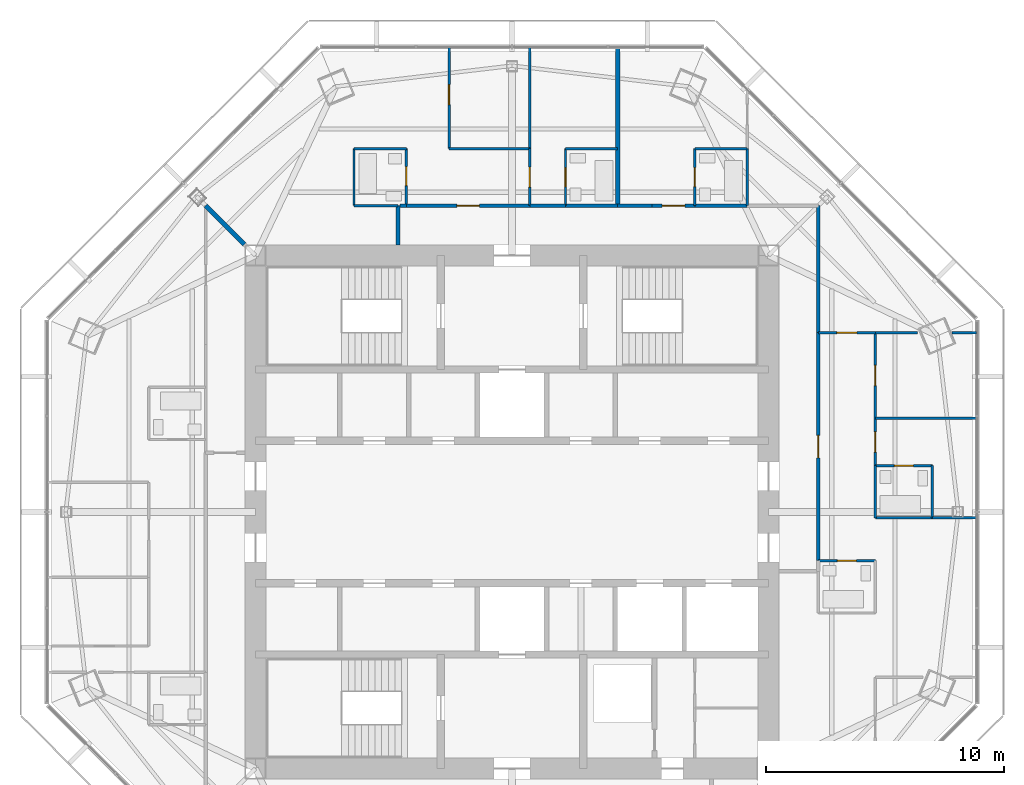
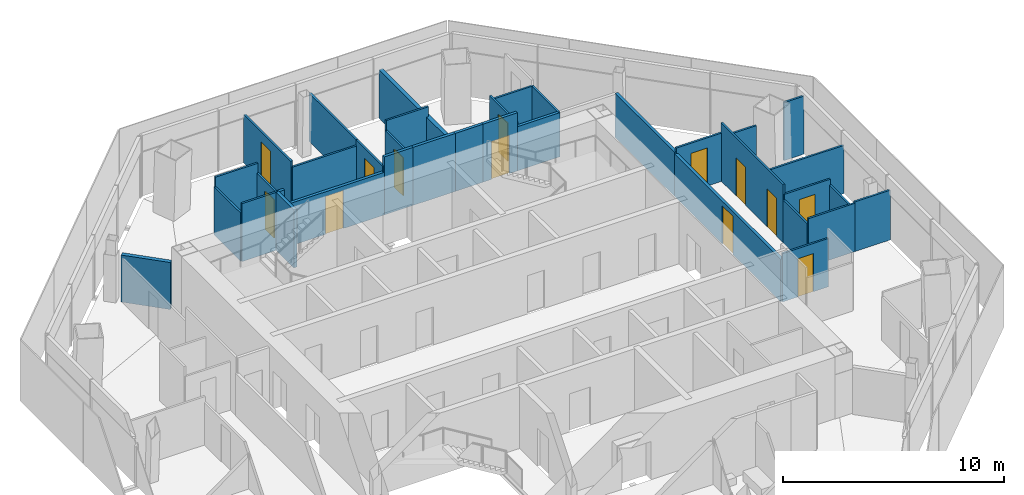
# One storey, part 11 of 15: 36 walls, 13 doors, 13 openings.
"""IFC4 building model written with IfcOpenShell, lengths in metres."""

from ifc_helpers import new_model, si_unit, direction, frame, frame_2d, origin, place, context, subcontext, project, spatial, rectangle, extrude, material, layer, layer_set, type_object, element, fill, save


model = new_model("IFC4")

# Units and contexts
model_context = context("Model", 3, precision=1e-05, world=origin(), true_north=direction((0.0, 1.0)))
body_context = subcontext(model_context, "Body", "Model", "MODEL_VIEW")
ifc_project = project(units=[si_unit("LENGTHUNIT", "METRE"), si_unit("AREAUNIT", "SQUARE_METRE"), si_unit("VOLUMEUNIT", "CUBIC_METRE"), si_unit("PLANEANGLEUNIT", "RADIAN"), si_unit("MASSUNIT", "GRAM", prefix="KILO")], contexts=[model_context])

# Site, building, storey
site_placement = place(None, origin())
site = spatial("IfcSite", under=ifc_project, at=site_placement, CompositionType="ELEMENT")
building_placement = place(site_placement, origin())
building = spatial("IfcBuilding", under=site, at=building_placement, Name="Mashrafa Tower", CompositionType="ELEMENT")
storey_placement = place(building_placement, frame((0.0, 0.0, 298.0)))
storey = spatial("IfcBuildingStorey", under=building, at=storey_placement, Name="L73", CompositionType="ELEMENT", Elevation=298.0)

# Walls
ifc_material_1 = material(Name="Gypsum board on steel studs", Category="steel")
ifc_layer_1 = layer(ifc_material_1, 0.199951171875)
ifc_layer_set_1 = layer_set([ifc_layer_1], Name="Acoustic partition 200 1 hr")
wall_type_1 = type_object("IfcWallType", Name="Acoustic partition 200 1 hr", PredefinedType="PARTITIONING", material=ifc_layer_set_1)
wall_1_placement = place(storey_placement, frame((4.449951171875, 12.89990234375, 0.0), z_axis=(0.0, 0.0, 1.0), x_axis=(0.0, 1.0, 0.0)))
element("IfcWall", 1, at=wall_1_placement, inside=storey, type_object=wall_type_1, Name="Acoustic wall L73-051", PredefinedType="PARTITIONING", context=body_context, shape_type="SweptSolid", body=[
    extrude(rectangle(XDim=6.666748046875, YDim=0.199951171875, at=frame_2d((3.33349609375, 0.0))), origin(), (0.0, 0.0, 1.0), 2.66162109375),
])
wall_2_placement = place(storey_placement, frame((-12.90087890625, 12.90087890625, 0.0), z_axis=(0.0, 0.0, 1.0), x_axis=(0.707106781187, -0.707106781187, 0.0)))
element("IfcWall", 2, at=wall_2_placement, inside=storey, type_object=wall_type_1, Name="Acoustic wall L73-063", PredefinedType="PARTITIONING", context=body_context, shape_type="SweptSolid", body=[
    extrude(rectangle(XDim=2.307861328125, YDim=0.199951171875, at=frame_2d((1.15380859375, 0.0))), origin(), (0.0, 0.0, 1.0), 2.590576171875),
])
ifc_material_2 = material(Name="Gypsum board on steel studs", Category="steel")
ifc_layer_2 = layer(ifc_material_2, 0.14990234375)
ifc_layer_set_2 = layer_set([ifc_layer_2], Name="Corridor partition 150 1 hr")
wall_type_2 = type_object("IfcWallType", Name="Corridor partition 150 1 hr", PredefinedType="PARTITIONING", material=ifc_layer_set_2)
wall_3_placement = place(storey_placement, frame((12.89990234375, 7.549072265625, 0.0), z_axis=(0.0, 0.0, 1.0), x_axis=(0.0, 1.0, 0.0)))
element("IfcWall", 3, at=wall_3_placement, inside=storey, type_object=wall_type_2, Name="Corridor wall L73-002", PredefinedType="PARTITIONING", context=body_context, shape_type="SweptSolid", body=[
    extrude(rectangle(XDim=5.350830078125, YDim=0.14990234375, at=frame_2d((2.67529296875, 0.0))), origin(), (0.0, 0.0, 1.0), 2.435546875),
])

# Wall, opening, door
wall_4_placement = place(storey_placement, frame((12.89990234375, -2.051025390625, 0.0), z_axis=(0.0, 0.0, 1.0), x_axis=(0.0, 1.0, 0.0)))
wall_4 = element("IfcWall", 4, at=wall_4_placement, inside=storey, type_object=wall_type_2, Name="Corridor wall L73-004", PredefinedType="PARTITIONING", context=body_context, shape_type="SweptSolid", body=[
    extrude(rectangle(XDim=9.60205078125, YDim=0.14990234375, at=frame_2d((4.801025390625, 0.0))), origin(), (0.0, 0.0, 1.0), 2.349365234375),
])
opening_1_placement = place(wall_4_placement, frame((4.325927734375, 0.0, 0.0)))
opening_1 = element("IfcOpeningElement", 5, at=opening_1_placement, cuts=wall_4, Name="Opening 73.007", PredefinedType="OPENING", context=body_context, shape_type="SweptSolid", body=[
    extrude(rectangle(XDim=0.949951171875, YDim=2.10009765625, at=frame_2d((0.47509765625, 1.050048828125))), frame((0.0, 0.0849609375, 0.0), z_axis=(0.0, -1.0, 0.0), x_axis=(1.0, 0.0, 0.0)), (0.0, 0.0, 1.0), 0.169921875),
])
ifc_material_3 = material(Name="Steel door", Category="steel")
door_type_1 = type_object("IfcDoorType", Name="Residence entrance door 950 x 2100 20 min", OperationType="USERDEFINED", PredefinedType="DOOR", material=ifc_material_3)
door_1_placement = place(opening_1_placement, frame((0.949951171875, 0.0, 0.0), z_axis=(0.0, 0.0, 1.0), x_axis=(-1.0, 0.0, 0.0)))
door_1 = element("IfcDoor", 6, at=door_1_placement, inside=storey, type_object=door_type_1, Name="Apartment 7301 Living Room door", OperationType="SINGLE_SWING_LEFT", OverallHeight=2.10009765625, OverallWidth=0.949951171875, PredefinedType="DOOR", context=body_context, shape_type="SweptSolid", body=[
    extrude(rectangle(XDim=0.949951171875, YDim=2.10009765625, at=frame_2d((0.47509765625, 1.050048828125))), frame((0.0, 0.02490234375, 0.0), z_axis=(0.0, -1.0, 0.0), x_axis=(1.0, 0.0, 0.0)), (0.0, 0.0, 1.0), 0.050048828125),
])
fill(opening_1, door_1)

# Walls
wall_5_placement = place(storey_placement, frame((9.90087890625, 12.89990234375, 0.0), z_axis=(0.0, 0.0, 1.0), x_axis=(-1.0, 0.0, 0.0)))
element("IfcWall", 7, at=wall_5_placement, inside=storey, type_object=wall_type_2, Name="Corridor wall L73-006", PredefinedType="PARTITIONING", context=body_context, shape_type="SweptSolid", body=[
    extrude(rectangle(XDim=2.201904296875, YDim=0.14990234375, at=frame_2d((1.10107421875, 0.0))), origin(), (0.0, 0.0, 1.0), 2.435546875),
])
wall_6_placement = place(storey_placement, frame((5.90087890625, 12.89990234375, 0.0), z_axis=(0.0, 0.0, 1.0), x_axis=(-1.0, 0.0, 0.0)))
element("IfcWall", 8, at=wall_6_placement, inside=storey, type_object=wall_type_2, Name="Corridor wall L73-007", PredefinedType="PARTITIONING", context=body_context, shape_type="SweptSolid", body=[
    extrude(rectangle(XDim=1.451904296875, YDim=0.14990234375, at=frame_2d((0.72607421875, 0.0))), origin(), (0.0, 0.0, 1.0), 3.199951171875),
])

# Wall, opening, door
wall_7_placement = place(storey_placement, frame((7.700927734375, 12.89990234375, 0.0), z_axis=(0.0, 0.0, 1.0), x_axis=(-1.0, 0.0, 0.0)))
wall_7 = element("IfcWall", 9, at=wall_7_placement, inside=storey, type_object=wall_type_2, Name="Corridor wall L73-008", PredefinedType="PARTITIONING", context=body_context, shape_type="SweptSolid", body=[
    extrude(rectangle(XDim=1.802001953125, YDim=0.14990234375, at=frame_2d((0.90087890625, 0.0))), origin(), (0.0, 0.0, 1.0), 3.199951171875),
])
opening_2_placement = place(wall_7_placement, frame((0.426025390625, 0.0, 0.0)))
opening_2 = element("IfcOpeningElement", 10, at=opening_2_placement, cuts=wall_7, Name="Opening 73.011", PredefinedType="OPENING", context=body_context, shape_type="SweptSolid", body=[
    extrude(rectangle(XDim=0.949951171875, YDim=2.10009765625, at=frame_2d((0.47509765625, 1.050048828125))), frame((0.0, 0.0849609375, 0.0), z_axis=(0.0, -1.0, 0.0), x_axis=(1.0, 0.0, 0.0)), (0.0, 0.0, 1.0), 0.169921875),
])
door_2_placement = place(opening_2_placement, frame((0.949951171875, 0.0, 0.0), z_axis=(0.0, 0.0, 1.0), x_axis=(-1.0, 0.0, 0.0)))
door_2 = element("IfcDoor", 11, at=door_2_placement, inside=storey, type_object=door_type_1, Name="Apartment 7302 Living Room door", OperationType="SINGLE_SWING_LEFT", OverallHeight=2.10009765625, OverallWidth=0.949951171875, PredefinedType="DOOR", context=body_context, shape_type="SweptSolid", body=[
    extrude(rectangle(XDim=0.949951171875, YDim=2.10009765625, at=frame_2d((0.47509765625, 1.050048828125))), frame((0.0, 0.02490234375, 0.0), z_axis=(0.0, -1.0, 0.0), x_axis=(1.0, 0.0, 0.0)), (0.0, 0.0, 1.0), 0.050048828125),
])
fill(opening_2, door_2)

# Walls
wall_8_placement = place(storey_placement, frame((-4.448974609375, 12.89990234375, 0.0), z_axis=(0.0, 0.0, 1.0), x_axis=(-1.0, 0.0, 0.0)))
element("IfcWall", 12, at=wall_8_placement, inside=storey, type_object=wall_type_2, Name="Corridor wall L73-009", PredefinedType="PARTITIONING", context=body_context, shape_type="SweptSolid", body=[
    extrude(rectangle(XDim=0.276123046875, YDim=0.14990234375, at=frame_2d((0.13818359375, 0.0))), origin(), (0.0, 0.0, 1.0), 3.199951171875),
])
wall_9_placement = place(storey_placement, frame((4.450927734375, 12.89990234375, 0.0), z_axis=(0.0, 0.0, 1.0), x_axis=(-1.0, 0.0, 0.0)))
element("IfcWall", 13, at=wall_9_placement, inside=storey, type_object=wall_type_2, Name="Corridor wall L73-010", PredefinedType="PARTITIONING", context=body_context, shape_type="SweptSolid", body=[
    extrude(rectangle(XDim=2.201904296875, YDim=0.14990234375, at=frame_2d((1.10107421875, 0.0))), origin(), (0.0, 0.0, 1.0), 3.199951171875),
])
wall_10_placement = place(storey_placement, frame((2.2509765625, 12.89990234375, 0.0), z_axis=(0.0, 0.0, 1.0), x_axis=(-1.0, 0.0, 0.0)))
element("IfcWall", 14, at=wall_10_placement, inside=storey, type_object=wall_type_2, Name="Corridor wall L73-011", PredefinedType="PARTITIONING", context=body_context, shape_type="SweptSolid", body=[
    extrude(rectangle(XDim=1.501953125, YDim=0.14990234375, at=frame_2d((0.7509765625, 0.0))), origin(), (0.0, 0.0, 1.0), 3.199951171875),
])
wall_11_placement = place(storey_placement, frame((-4.800048828125, 12.89990234375, 0.0), z_axis=(0.0, 0.0, 1.0), x_axis=(0.0, -1.0, 0.0)))
element("IfcWall", 15, at=wall_11_placement, inside=storey, type_object=wall_type_2, Name="Corridor wall L73-012", PredefinedType="PARTITIONING", context=body_context, shape_type="SweptSolid", body=[
    extrude(rectangle(XDim=1.64990234375, YDim=0.14990234375, at=frame_2d((0.824951171875, 0.0))), origin(), (0.0, 0.0, 1.0), 3.199951171875),
])

# Wall, opening, door
wall_12_placement = place(storey_placement, frame((0.7509765625, 12.89990234375, 0.0), z_axis=(0.0, 0.0, 1.0), x_axis=(-1.0, 0.0, 0.0)))
wall_12 = element("IfcWall", 16, at=wall_12_placement, inside=storey, type_object=wall_type_2, Name="Corridor wall L73-013", PredefinedType="PARTITIONING", context=body_context, shape_type="SweptSolid", body=[
    extrude(rectangle(XDim=5.199951171875, YDim=0.14990234375, at=frame_2d((2.60009765625, 0.0))), origin(), (0.0, 0.0, 1.0), 2.349365234375),
])
opening_3_placement = place(wall_12_placement, frame((2.125, 0.0, 0.0)))
opening_3 = element("IfcOpeningElement", 17, at=opening_3_placement, cuts=wall_12, Name="Opening 73.016", PredefinedType="OPENING", context=body_context, shape_type="SweptSolid", body=[
    extrude(rectangle(XDim=0.949951171875, YDim=2.10009765625, at=frame_2d((0.47509765625, 1.050048828125))), frame((0.0, 0.0849609375, 0.0), z_axis=(0.0, -1.0, 0.0), x_axis=(1.0, 0.0, 0.0)), (0.0, 0.0, 1.0), 0.169921875),
])
door_3_placement = place(opening_3_placement, frame((0.949951171875, 0.0, 0.0), z_axis=(0.0, 0.0, 1.0), x_axis=(-1.0, 0.0, 0.0)))
door_3 = element("IfcDoor", 18, at=door_3_placement, inside=storey, type_object=door_type_1, Name="Apartment 7303 Living Room door", OperationType="SINGLE_SWING_RIGHT", OverallHeight=2.10009765625, OverallWidth=0.949951171875, PredefinedType="DOOR", context=body_context, shape_type="SweptSolid", body=[
    extrude(rectangle(XDim=0.949951171875, YDim=2.10009765625, at=frame_2d((0.47509765625, 1.050048828125))), frame((0.0, 0.02490234375, 0.0), z_axis=(0.0, -1.0, 0.0), x_axis=(1.0, 0.0, 0.0)), (0.0, 0.0, 1.0), 0.050048828125),
])
fill(opening_3, door_3)

ifc_material_4 = material(Name="Gypsum board on steel studs", Category="steel")
ifc_layer_3 = layer(ifc_material_4, 0.10009765625)
ifc_layer_set_3 = layer_set([ifc_layer_3], Name="Partition 100")
wall_type_3 = type_object("IfcWallType", Name="Partition 100", PredefinedType="PARTITIONING", material=ifc_layer_set_3)
wall_13_placement = place(storey_placement, frame((15.300048828125, -2.050048828125, 0.0), z_axis=(0.0, 0.0, 1.0), x_axis=(-1.0, 0.0, 0.0)))
wall_13 = element("IfcWall", 19, at=wall_13_placement, inside=storey, type_object=wall_type_3, Name="Partition wall L73-030", PredefinedType="PARTITIONING", context=body_context, shape_type="SweptSolid", body=[
    extrude(rectangle(XDim=2.400146484375, YDim=0.10009765625, at=frame_2d((1.2001953125, 0.0))), origin(), (0.0, 0.0, 1.0), 2.66162109375),
])
opening_4_placement = place(wall_13_placement, frame((0.800048828125, 0.0, 0.0)))
opening_4 = element("IfcOpeningElement", 20, at=opening_4_placement, cuts=wall_13, Name="Opening 73.002", PredefinedType="OPENING", context=body_context, shape_type="SweptSolid", body=[
    extrude(rectangle(XDim=0.800048828125, YDim=2.10009765625, at=frame_2d((0.39990234375, 1.050048828125))), frame((0.0, 0.06005859375, 0.0), z_axis=(0.0, -1.0, 0.0), x_axis=(1.0, 0.0, 0.0)), (0.0, 0.0, 1.0), 0.1201171875),
])
ifc_material_5 = material(Name="Timber door", Category="wood")
door_type_2 = type_object("IfcDoorType", Name="Bathroom door 800 x 2100", OperationType="USERDEFINED", PredefinedType="DOOR", material=ifc_material_5)
door_4_placement = place(opening_4_placement, origin())
door_4 = element("IfcDoor", 21, at=door_4_placement, inside=storey, type_object=door_type_2, Name="Apartment 7301 Bathroom door", OperationType="SINGLE_SWING_RIGHT", OverallHeight=2.10009765625, OverallWidth=0.800048828125, PredefinedType="DOOR", context=body_context, shape_type="SweptSolid", body=[
    extrude(rectangle(XDim=0.800048828125, YDim=2.10009765625, at=frame_2d((0.39990234375, 1.050048828125))), frame((0.0, 0.02490234375, 0.0), z_axis=(0.0, -1.0, 0.0), x_axis=(1.0, 0.0, 0.0)), (0.0, 0.0, 1.0), 0.050048828125),
])
fill(opening_4, door_4)

# Wall
wall_14_placement = place(storey_placement, frame((17.699951171875, -0.25, 0.0), z_axis=(0.0, 0.0, 1.0), x_axis=(0.0, 1.0, 0.0)))
element("IfcWall", 22, at=wall_14_placement, inside=storey, type_object=wall_type_3, Name="Partition wall L73-031", PredefinedType="PARTITIONING", context=body_context, shape_type="SweptSolid", body=[
    extrude(rectangle(XDim=2.199951171875, YDim=0.10009765625, at=frame_2d((1.10009765625, 0.0))), origin(), (0.0, 0.0, 1.0), 2.349365234375),
])

# Wall, opening, door
wall_15_placement = place(storey_placement, frame((17.699951171875, 1.949951171875, 0.0), z_axis=(0.0, 0.0, 1.0), x_axis=(-1.0, 0.0, 0.0)))
wall_15 = element("IfcWall", 23, at=wall_15_placement, inside=storey, type_object=wall_type_3, Name="Partition wall L73-032", PredefinedType="PARTITIONING", context=body_context, shape_type="SweptSolid", body=[
    extrude(rectangle(XDim=2.39990234375, YDim=0.10009765625, at=frame_2d((1.199951171875, 0.0))), origin(), (0.0, 0.0, 1.0), 2.66162109375),
])
opening_5_placement = place(wall_15_placement, frame((0.800048828125, 0.0, 0.0)))
opening_5 = element("IfcOpeningElement", 24, at=opening_5_placement, cuts=wall_15, Name="Opening 73.003", PredefinedType="OPENING", context=body_context, shape_type="SweptSolid", body=[
    extrude(rectangle(XDim=0.800048828125, YDim=2.10009765625, at=frame_2d((0.39990234375, 1.050048828125))), frame((0.0, 0.06005859375, 0.0), z_axis=(0.0, -1.0, 0.0), x_axis=(1.0, 0.0, 0.0)), (0.0, 0.0, 1.0), 0.1201171875),
])
door_5_placement = place(opening_5_placement, origin())
door_5 = element("IfcDoor", 25, at=door_5_placement, inside=storey, type_object=door_type_2, Name="Apartment 7301 En-suite Bathroom door", OperationType="SINGLE_SWING_RIGHT", OverallHeight=2.10009765625, OverallWidth=0.800048828125, PredefinedType="DOOR", context=body_context, shape_type="SweptSolid", body=[
    extrude(rectangle(XDim=0.800048828125, YDim=2.10009765625, at=frame_2d((0.39990234375, 1.050048828125))), frame((0.0, 0.02490234375, 0.0), z_axis=(0.0, -1.0, 0.0), x_axis=(1.0, 0.0, 0.0)), (0.0, 0.0, 1.0), 0.050048828125),
])
fill(opening_5, door_5)

# Walls
wall_16_placement = place(storey_placement, frame((15.300048828125, 1.949951171875, 0.0), z_axis=(0.0, 0.0, 1.0), x_axis=(0.0, -1.0, 0.0)))
element("IfcWall", 26, at=wall_16_placement, inside=storey, type_object=wall_type_3, Name="Partition wall L73-033", PredefinedType="PARTITIONING", context=body_context, shape_type="SweptSolid", body=[
    extrude(rectangle(XDim=2.199951171875, YDim=0.10009765625, at=frame_2d((1.10009765625, 0.0))), origin(), (0.0, 0.0, 1.0), 2.349365234375),
])
wall_17_placement = place(storey_placement, frame((15.300048828125, -0.25, 0.0), z_axis=(0.0, 0.0, 1.0), x_axis=(1.0, 0.0, 0.0)))
element("IfcWall", 27, at=wall_17_placement, inside=storey, type_object=wall_type_3, Name="Partition wall L73-034", PredefinedType="PARTITIONING", context=body_context, shape_type="SweptSolid", body=[
    extrude(rectangle(XDim=2.39990234375, YDim=0.10009765625, at=frame_2d((1.199951171875, 0.0))), origin(), (0.0, 0.0, 1.0), 2.66162109375),
])
wall_18_placement = place(storey_placement, frame((19.566650390625, 3.949951171875, 0.0), z_axis=(0.0, 0.0, 1.0), x_axis=(-1.0, 0.0, 0.0)))
element("IfcWall", 28, at=wall_18_placement, inside=storey, type_object=wall_type_3, Name="Partition wall L73-035", PredefinedType="PARTITIONING", context=body_context, shape_type="SweptSolid", body=[
    extrude(rectangle(XDim=4.2666015625, YDim=0.10009765625, at=frame_2d((2.13330078125, 0.0))), origin(), (0.0, 0.0, 1.0), 2.66162109375),
])

# Wall, openings, doors
wall_19_placement = place(storey_placement, frame((15.300048828125, 1.949951171875, 0.0), z_axis=(0.0, 0.0, 1.0), x_axis=(0.0, 1.0, 0.0)))
wall_19 = element("IfcWall", 29, at=wall_19_placement, inside=storey, type_object=wall_type_3, Name="Partition wall L73-036", PredefinedType="PARTITIONING", context=body_context, shape_type="SweptSolid", body=[
    extrude(rectangle(XDim=5.60009765625, YDim=0.10009765625, at=frame_2d((2.800048828125, 0.0))), origin(), (0.0, 0.0, 1.0), 3.199951171875),
])
opening_6_placement = place(wall_19_placement, frame((0.574951171875, 0.0, 0.0)))
opening_6 = element("IfcOpeningElement", 30, at=opening_6_placement, cuts=wall_19, Name="Opening 73.004", PredefinedType="OPENING", context=body_context, shape_type="SweptSolid", body=[
    extrude(rectangle(XDim=0.85009765625, YDim=2.10009765625, at=frame_2d((0.425048828125, 1.050048828125))), frame((0.0, 0.06005859375, 0.0), z_axis=(0.0, -1.0, 0.0), x_axis=(1.0, 0.0, 0.0)), (0.0, 0.0, 1.0), 0.1201171875),
])
opening_7_placement = place(wall_19_placement, frame((3.375, 0.0, 0.0)))
opening_7 = element("IfcOpeningElement", 31, at=opening_7_placement, cuts=wall_19, Name="Opening 73.005", PredefinedType="OPENING", context=body_context, shape_type="SweptSolid", body=[
    extrude(rectangle(XDim=0.85009765625, YDim=2.10009765625, at=frame_2d((0.425048828125, 1.050048828125))), frame((0.0, 0.06005859375, 0.0), z_axis=(0.0, -1.0, 0.0), x_axis=(1.0, 0.0, 0.0)), (0.0, 0.0, 1.0), 0.1201171875),
])
ifc_material_6 = material(Name="Timber door", Category="wood")
door_type_3 = type_object("IfcDoorType", Name="Bedroom door 850 x 2100", OperationType="USERDEFINED", PredefinedType="DOOR", material=ifc_material_6)
door_6_placement = place(opening_6_placement, frame((0.85009765625, 0.0, 0.0), z_axis=(0.0, 0.0, 1.0), x_axis=(-1.0, 0.0, 0.0)))
door_6 = element("IfcDoor", 32, at=door_6_placement, inside=storey, type_object=door_type_3, Name="Apartment 7301 Bedroom 1 door", OperationType="SINGLE_SWING_LEFT", OverallHeight=2.10009765625, OverallWidth=0.85009765625, PredefinedType="DOOR", context=body_context, shape_type="SweptSolid", body=[
    extrude(rectangle(XDim=0.85009765625, YDim=2.10009765625, at=frame_2d((0.425048828125, 1.050048828125))), frame((0.0, 0.02490234375, 0.0), z_axis=(0.0, -1.0, 0.0), x_axis=(1.0, 0.0, 0.0)), (0.0, 0.0, 1.0), 0.050048828125),
])
fill(opening_6, door_6)
door_7_placement = place(opening_7_placement, frame((0.85009765625, 0.0, 0.0), z_axis=(0.0, 0.0, 1.0), x_axis=(-1.0, 0.0, 0.0)))
door_7 = element("IfcDoor", 33, at=door_7_placement, inside=storey, type_object=door_type_3, Name="Apartment 7301 Bedroom 2 door", OperationType="SINGLE_SWING_RIGHT", OverallHeight=2.10009765625, OverallWidth=0.85009765625, PredefinedType="DOOR", context=body_context, shape_type="SweptSolid", body=[
    extrude(rectangle(XDim=0.85009765625, YDim=2.10009765625, at=frame_2d((0.425048828125, 1.050048828125))), frame((0.0, 0.02490234375, 0.0), z_axis=(0.0, -1.0, 0.0), x_axis=(1.0, 0.0, 0.0)), (0.0, 0.0, 1.0), 0.050048828125),
])
fill(opening_7, door_7)

# Walls
wall_20_placement = place(storey_placement, frame((17.699951171875, -0.25, 0.0), z_axis=(0.0, 0.0, 1.0), x_axis=(1.0, 0.0, 0.0)))
element("IfcWall", 34, at=wall_20_placement, inside=storey, type_object=wall_type_3, Name="Partition wall L73-037", PredefinedType="PARTITIONING", context=body_context, shape_type="SweptSolid", body=[
    extrude(rectangle(XDim=1.86669921875, YDim=0.10009765625, at=frame_2d((0.933349609375, 0.0))), origin(), (0.0, 0.0, 1.0), 2.740478515625),
])
wall_21_placement = place(storey_placement, frame((19.566650390625, 7.550048828125, 0.0), z_axis=(0.0, 0.0, 1.0), x_axis=(-1.0, 0.0, 0.0)))
element("IfcWall", 35, at=wall_21_placement, inside=storey, type_object=wall_type_3, Name="Partition wall L73-038", PredefinedType="PARTITIONING", context=body_context, shape_type="SweptSolid", body=[
    extrude(rectangle(XDim=1.044921875, YDim=0.10009765625, at=frame_2d((0.5224609375, 0.0))), origin(), (0.0, 0.0, 1.0), 3.199951171875),
])
wall_22_placement = place(storey_placement, frame((17.068603515625, 7.550048828125, 0.0), z_axis=(0.0, 0.0, 1.0), x_axis=(-1.0, 0.0, 0.0)))
element("IfcWall", 36, at=wall_22_placement, inside=storey, type_object=wall_type_3, Name="Partition wall L73-039", PredefinedType="PARTITIONING", context=body_context, shape_type="SweptSolid", body=[
    extrude(rectangle(XDim=1.7685546875, YDim=0.10009765625, at=frame_2d((0.88427734375, 0.0))), origin(), (0.0, 0.0, 1.0), 2.435546875),
])

# Wall, opening, door
wall_23_placement = place(storey_placement, frame((12.89990234375, 7.550048828125, 0.0), z_axis=(0.0, 0.0, 1.0), x_axis=(1.0, 0.0, 0.0)))
wall_23 = element("IfcWall", 37, at=wall_23_placement, inside=storey, type_object=wall_type_3, Name="Partition wall L73-041", PredefinedType="PARTITIONING", context=body_context, shape_type="SweptSolid", body=[
    extrude(rectangle(XDim=2.401123046875, YDim=0.10009765625, at=frame_2d((1.20068359375, 0.0))), origin(), (0.0, 0.0, 1.0), 2.66162109375),
])
opening_8_placement = place(wall_23_placement, frame((0.775390625, 0.0, 0.0)))
opening_8 = element("IfcOpeningElement", 38, at=opening_8_placement, cuts=wall_23, Name="Opening 73.006", PredefinedType="OPENING", context=body_context, shape_type="SweptSolid", body=[
    extrude(rectangle(XDim=0.85009765625, YDim=2.10009765625, at=frame_2d((0.425048828125, 1.050048828125))), frame((0.0, 0.06005859375, 0.0), z_axis=(0.0, -1.0, 0.0), x_axis=(1.0, 0.0, 0.0)), (0.0, 0.0, 1.0), 0.1201171875),
])
door_8_placement = place(opening_8_placement, origin())
door_8 = element("IfcDoor", 39, at=door_8_placement, inside=storey, type_object=door_type_3, Name="Apartment 7301 Bedroom 3 door", OperationType="SINGLE_SWING_LEFT", OverallHeight=2.10009765625, OverallWidth=0.85009765625, PredefinedType="DOOR", context=body_context, shape_type="SweptSolid", body=[
    extrude(rectangle(XDim=0.85009765625, YDim=2.10009765625, at=frame_2d((0.425048828125, 1.050048828125))), frame((0.0, 0.02490234375, 0.0), z_axis=(0.0, -1.0, 0.0), x_axis=(1.0, 0.0, 0.0)), (0.0, 0.0, 1.0), 0.050048828125),
])
fill(opening_8, door_8)

# Walls
wall_24_placement = place(storey_placement, frame((9.89990234375, 15.301025390625, 0.0), z_axis=(0.0, 0.0, 1.0), x_axis=(0.0, -1.0, 0.0)))
element("IfcWall", 40, at=wall_24_placement, inside=storey, type_object=wall_type_3, Name="Partition wall L73-047", PredefinedType="PARTITIONING", context=body_context, shape_type="SweptSolid", body=[
    extrude(rectangle(XDim=2.401123046875, YDim=0.10009765625, at=frame_2d((1.20068359375, 0.0))), origin(), (0.0, 0.0, 1.0), 2.435546875),
])
wall_25_placement = place(storey_placement, frame((9.89990234375, 15.300048828125, 0.0), z_axis=(0.0, 0.0, 1.0), x_axis=(-1.0, 0.0, 0.0)))
element("IfcWall", 41, at=wall_25_placement, inside=storey, type_object=wall_type_3, Name="Partition wall L73-049", PredefinedType="PARTITIONING", context=body_context, shape_type="SweptSolid", body=[
    extrude(rectangle(XDim=2.199951171875, YDim=0.10009765625, at=frame_2d((1.10009765625, 0.0))), origin(), (0.0, 0.0, 1.0), 2.435546875),
])

# Wall, opening, door
wall_26_placement = place(storey_placement, frame((7.699951171875, 15.300048828125, 0.0), z_axis=(0.0, 0.0, 1.0), x_axis=(0.0, -1.0, 0.0)))
wall_26 = element("IfcWall", 42, at=wall_26_placement, inside=storey, type_object=wall_type_3, Name="Partition wall L73-050", PredefinedType="PARTITIONING", context=body_context, shape_type="SweptSolid", body=[
    extrude(rectangle(XDim=2.400146484375, YDim=0.10009765625, at=frame_2d((1.2001953125, 0.0))), origin(), (0.0, 0.0, 1.0), 2.66162109375),
])
opening_9_placement = place(wall_26_placement, frame((0.800048828125, 0.0, 0.0)))
opening_9 = element("IfcOpeningElement", 43, at=opening_9_placement, cuts=wall_26, Name="Opening 73.010", PredefinedType="OPENING", context=body_context, shape_type="SweptSolid", body=[
    extrude(rectangle(XDim=0.800048828125, YDim=2.10009765625, at=frame_2d((0.39990234375, 1.050048828125))), frame((0.0, 0.06005859375, 0.0), z_axis=(0.0, -1.0, 0.0), x_axis=(1.0, 0.0, 0.0)), (0.0, 0.0, 1.0), 0.1201171875),
])
door_9_placement = place(opening_9_placement, origin())
door_9 = element("IfcDoor", 44, at=door_9_placement, inside=storey, type_object=door_type_2, Name="Apartment 7302 Bathroom door", OperationType="SINGLE_SWING_RIGHT", OverallHeight=2.10009765625, OverallWidth=0.800048828125, PredefinedType="DOOR", context=body_context, shape_type="SweptSolid", body=[
    extrude(rectangle(XDim=0.800048828125, YDim=2.10009765625, at=frame_2d((0.39990234375, 1.050048828125))), frame((0.0, 0.02490234375, 0.0), z_axis=(0.0, -1.0, 0.0), x_axis=(1.0, 0.0, 0.0)), (0.0, 0.0, 1.0), 0.050048828125),
])
fill(opening_9, door_9)

# Walls
wall_27_placement = place(storey_placement, frame((-6.64990234375, 12.89990234375, 0.0), z_axis=(0.0, 0.0, 1.0), x_axis=(0.0, 1.0, 0.0)))
element("IfcWall", 45, at=wall_27_placement, inside=storey, type_object=wall_type_3, Name="Partition wall L73-053", PredefinedType="PARTITIONING", context=body_context, shape_type="SweptSolid", body=[
    extrude(rectangle(XDim=2.400146484375, YDim=0.10009765625, at=frame_2d((1.2001953125, 0.0))), origin(), (0.0, 0.0, 1.0), 2.66162109375),
])
wall_28_placement = place(storey_placement, frame((-6.64990234375, 12.89990234375, 0.0), z_axis=(0.0, 0.0, 1.0), x_axis=(1.0, 0.0, 0.0)))
element("IfcWall", 46, at=wall_28_placement, inside=storey, type_object=wall_type_3, Name="Partition wall L73-054", PredefinedType="PARTITIONING", context=body_context, shape_type="SweptSolid", body=[
    extrude(rectangle(XDim=1.850830078125, YDim=0.10009765625, at=frame_2d((0.92529296875, 0.0))), origin(), (0.0, 0.0, 1.0), 3.199951171875),
])

# Wall, opening, door
wall_29_placement = place(storey_placement, frame((-4.449951171875, 12.97509765625, 0.0), z_axis=(0.0, 0.0, 1.0), x_axis=(0.0, 1.0, 0.0)))
wall_29 = element("IfcWall", 47, at=wall_29_placement, inside=storey, type_object=wall_type_3, Name="Partition wall L73-055", PredefinedType="PARTITIONING", context=body_context, shape_type="SweptSolid", body=[
    extrude(rectangle(XDim=2.324951171875, YDim=0.10009765625, at=frame_2d((1.16259765625, 0.0))), origin(), (0.0, 0.0, 1.0), 2.66162109375),
])
opening_10_placement = place(wall_29_placement, frame((0.762451171875, 0.0, 0.0)))
opening_10 = element("IfcOpeningElement", 48, at=opening_10_placement, cuts=wall_29, Name="Opening 73.012", PredefinedType="OPENING", context=body_context, shape_type="SweptSolid", body=[
    extrude(rectangle(XDim=0.800048828125, YDim=2.10009765625, at=frame_2d((0.39990234375, 1.050048828125))), frame((0.0, 0.06005859375, 0.0), z_axis=(0.0, -1.0, 0.0), x_axis=(1.0, 0.0, 0.0)), (0.0, 0.0, 1.0), 0.1201171875),
])
door_10_placement = place(opening_10_placement, origin())
door_10 = element("IfcDoor", 49, at=door_10_placement, inside=storey, type_object=door_type_2, Name="Apartment 7303 Bathroom door", OperationType="SINGLE_SWING_RIGHT", OverallHeight=2.10009765625, OverallWidth=0.800048828125, PredefinedType="DOOR", context=body_context, shape_type="SweptSolid", body=[
    extrude(rectangle(XDim=0.800048828125, YDim=2.10009765625, at=frame_2d((0.39990234375, 1.050048828125))), frame((0.0, 0.02490234375, 0.0), z_axis=(0.0, -1.0, 0.0), x_axis=(1.0, 0.0, 0.0)), (0.0, 0.0, 1.0), 0.050048828125),
])
fill(opening_10, door_10)

# Walls
wall_30_placement = place(storey_placement, frame((-4.449951171875, 15.300048828125, 0.0), z_axis=(0.0, 0.0, 1.0), x_axis=(-1.0, 0.0, 0.0)))
element("IfcWall", 50, at=wall_30_placement, inside=storey, type_object=wall_type_3, Name="Partition wall L73-056", PredefinedType="PARTITIONING", context=body_context, shape_type="SweptSolid", body=[
    extrude(rectangle(XDim=2.199951171875, YDim=0.10009765625, at=frame_2d((1.10009765625, 0.0))), origin(), (0.0, 0.0, 1.0), 3.199951171875),
])
wall_31_placement = place(storey_placement, frame((0.75, 15.300048828125, 0.0), z_axis=(0.0, 0.0, 1.0), x_axis=(0.0, 1.0, 0.0)))
element("IfcWall", 51, at=wall_31_placement, inside=storey, type_object=wall_type_3, Name="Partition wall L73-057", PredefinedType="PARTITIONING", context=body_context, shape_type="SweptSolid", body=[
    extrude(rectangle(XDim=4.2666015625, YDim=0.10009765625, at=frame_2d((2.13330078125, 0.0))), origin(), (0.0, 0.0, 1.0), 2.66162109375),
])

# Wall, opening, door
wall_32_placement = place(storey_placement, frame((-2.64990234375, 19.568603515625, 0.0), z_axis=(0.0, 0.0, 1.0), x_axis=(0.0, -1.0, 0.0)))
wall_32 = element("IfcWall", 52, at=wall_32_placement, inside=storey, type_object=wall_type_3, Name="Partition wall L73-058", PredefinedType="PARTITIONING", context=body_context, shape_type="SweptSolid", body=[
    extrude(rectangle(XDim=4.2685546875, YDim=0.10009765625, at=frame_2d((2.13427734375, 0.0))), origin(), (0.0, 0.0, 1.0), 2.66162109375),
])
opening_11_placement = place(wall_32_placement, frame((1.5712890625, 0.0, 0.0)))
opening_11 = element("IfcOpeningElement", 53, at=opening_11_placement, cuts=wall_32, Name="Opening 73.013", PredefinedType="OPENING", context=body_context, shape_type="SweptSolid", body=[
    extrude(rectangle(XDim=0.85009765625, YDim=2.10009765625, at=frame_2d((0.425048828125, 1.050048828125))), frame((0.0, 0.06005859375, 0.0), z_axis=(0.0, -1.0, 0.0), x_axis=(1.0, 0.0, 0.0)), (0.0, 0.0, 1.0), 0.1201171875),
])
door_11_placement = place(opening_11_placement, origin())
door_11 = element("IfcDoor", 54, at=door_11_placement, inside=storey, type_object=door_type_3, Name="Apartment 7303 Bedroom 1 door", OperationType="SINGLE_SWING_LEFT", OverallHeight=2.10009765625, OverallWidth=0.85009765625, PredefinedType="DOOR", context=body_context, shape_type="SweptSolid", body=[
    extrude(rectangle(XDim=0.85009765625, YDim=2.10009765625, at=frame_2d((0.425048828125, 1.050048828125))), frame((0.0, 0.02490234375, 0.0), z_axis=(0.0, -1.0, 0.0), x_axis=(1.0, 0.0, 0.0)), (0.0, 0.0, 1.0), 0.050048828125),
])
fill(opening_11, door_11)

# Walls
wall_33_placement = place(storey_placement, frame((-2.64990234375, 15.300048828125, 0.0), z_axis=(0.0, 0.0, 1.0), x_axis=(1.0, 0.0, 0.0)))
element("IfcWall", 55, at=wall_33_placement, inside=storey, type_object=wall_type_3, Name="Partition wall L73-059", PredefinedType="PARTITIONING", context=body_context, shape_type="SweptSolid", body=[
    extrude(rectangle(XDim=3.39990234375, YDim=0.10009765625, at=frame_2d((1.699951171875, 0.0))), origin(), (0.0, 0.0, 1.0), 2.349365234375),
])
wall_34_placement = place(storey_placement, frame((4.449951171875, 15.300048828125, 0.0), z_axis=(0.0, 0.0, 1.0), x_axis=(-1.0, 0.0, 0.0)))
element("IfcWall", 56, at=wall_34_placement, inside=storey, type_object=wall_type_3, Name="Partition wall L73-060", PredefinedType="PARTITIONING", context=body_context, shape_type="SweptSolid", body=[
    extrude(rectangle(XDim=2.199951171875, YDim=0.10009765625, at=frame_2d((1.10009765625, 0.0))), origin(), (0.0, 0.0, 1.0), 3.199951171875),
])

# Wall, opening, door
wall_35_placement = place(storey_placement, frame((2.25, 15.300048828125, 0.0), z_axis=(0.0, 0.0, 1.0), x_axis=(0.0, -1.0, 0.0)))
wall_35 = element("IfcWall", 57, at=wall_35_placement, inside=storey, type_object=wall_type_3, Name="Partition wall L73-061", PredefinedType="PARTITIONING", context=body_context, shape_type="SweptSolid", body=[
    extrude(rectangle(XDim=2.400146484375, YDim=0.10009765625, at=frame_2d((1.2001953125, 0.0))), origin(), (0.0, 0.0, 1.0), 2.66162109375),
])
opening_12_placement = place(wall_35_placement, frame((0.800048828125, 0.0, 0.0)))
opening_12 = element("IfcOpeningElement", 58, at=opening_12_placement, cuts=wall_35, Name="Opening 73.014", PredefinedType="OPENING", context=body_context, shape_type="SweptSolid", body=[
    extrude(rectangle(XDim=0.800048828125, YDim=2.10009765625, at=frame_2d((0.39990234375, 1.050048828125))), frame((0.0, 0.06005859375, 0.0), z_axis=(0.0, -1.0, 0.0), x_axis=(1.0, 0.0, 0.0)), (0.0, 0.0, 1.0), 0.1201171875),
])
door_12_placement = place(opening_12_placement, origin())
door_12 = element("IfcDoor", 59, at=door_12_placement, inside=storey, type_object=door_type_2, Name="Apartment 7303 En-suite Bathroom door", OperationType="SINGLE_SWING_RIGHT", OverallHeight=2.10009765625, OverallWidth=0.800048828125, PredefinedType="DOOR", context=body_context, shape_type="SweptSolid", body=[
    extrude(rectangle(XDim=0.800048828125, YDim=2.10009765625, at=frame_2d((0.39990234375, 1.050048828125))), frame((0.0, 0.02490234375, 0.0), z_axis=(0.0, -1.0, 0.0), x_axis=(1.0, 0.0, 0.0)), (0.0, 0.0, 1.0), 0.050048828125),
])
fill(opening_12, door_12)

wall_36_placement = place(storey_placement, frame((0.75, 15.301025390625, 0.0), z_axis=(0.0, 0.0, 1.0), x_axis=(0.0, -1.0, 0.0)))
wall_36 = element("IfcWall", 60, at=wall_36_placement, inside=storey, type_object=wall_type_3, Name="Partition wall L73-062", PredefinedType="PARTITIONING", context=body_context, shape_type="SweptSolid", body=[
    extrude(rectangle(XDim=2.401123046875, YDim=0.10009765625, at=frame_2d((1.20068359375, 0.0))), origin(), (0.0, 0.0, 1.0), 2.66162109375),
])
opening_13_placement = place(wall_36_placement, frame((0.775390625, 0.0, 0.0)))
opening_13 = element("IfcOpeningElement", 61, at=opening_13_placement, cuts=wall_36, Name="Opening 73.015", PredefinedType="OPENING", context=body_context, shape_type="SweptSolid", body=[
    extrude(rectangle(XDim=0.85009765625, YDim=2.10009765625, at=frame_2d((0.425048828125, 1.050048828125))), frame((0.0, 0.06005859375, 0.0), z_axis=(0.0, -1.0, 0.0), x_axis=(1.0, 0.0, 0.0)), (0.0, 0.0, 1.0), 0.1201171875),
])
door_13_placement = place(opening_13_placement, origin())
door_13 = element("IfcDoor", 62, at=door_13_placement, inside=storey, type_object=door_type_3, Name="Apartment 7303 Bedroom 2 door", OperationType="SINGLE_SWING_RIGHT", OverallHeight=2.10009765625, OverallWidth=0.85009765625, PredefinedType="DOOR", context=body_context, shape_type="SweptSolid", body=[
    extrude(rectangle(XDim=0.85009765625, YDim=2.10009765625, at=frame_2d((0.425048828125, 1.050048828125))), frame((0.0, 0.02490234375, 0.0), z_axis=(0.0, -1.0, 0.0), x_axis=(1.0, 0.0, 0.0)), (0.0, 0.0, 1.0), 0.050048828125),
])
fill(opening_13, door_13)

save(model, "model.ifc")
